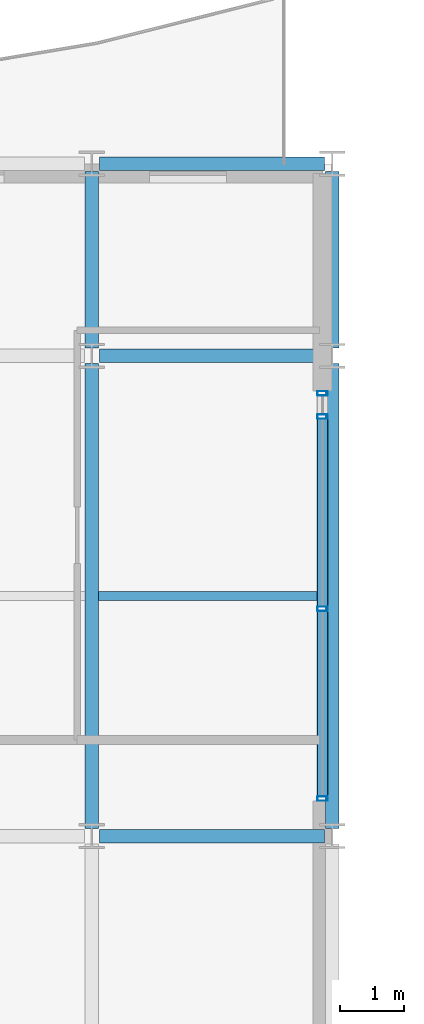
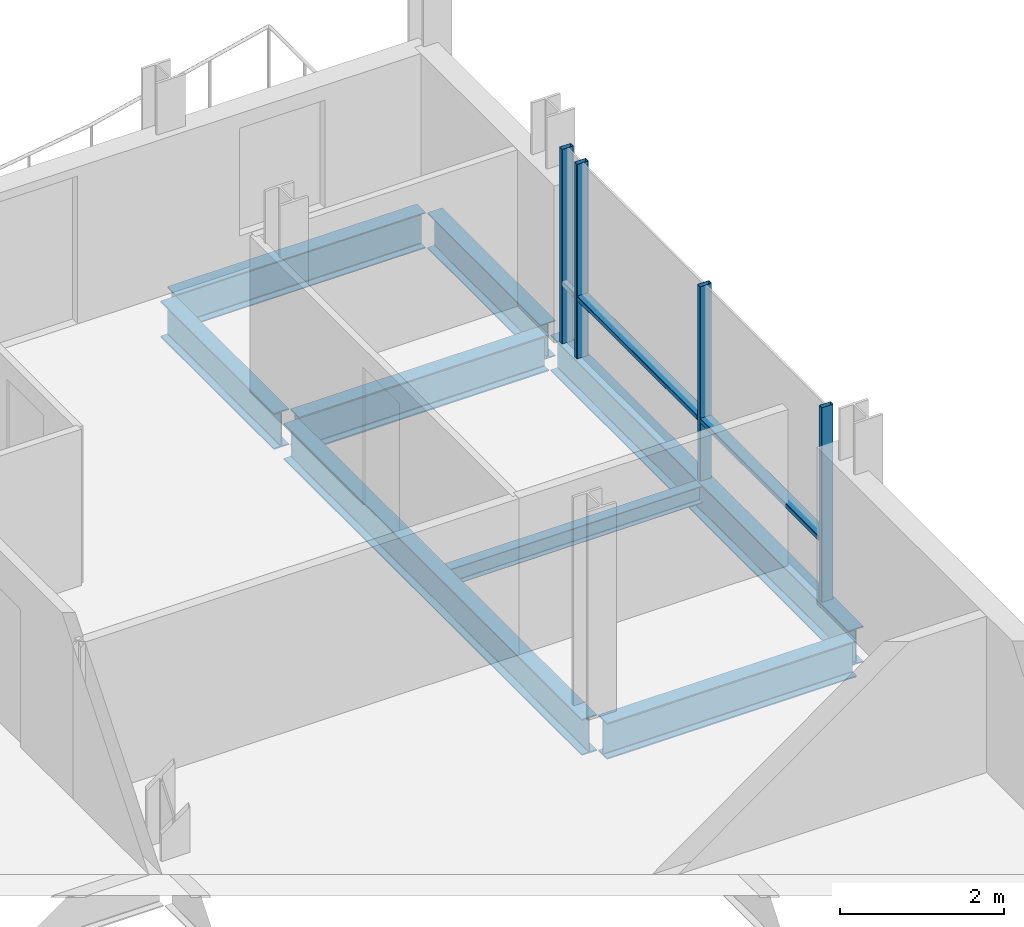
# One storey, part 8 of 29: 8 beams, 6 members, 1 element without a shape of its own.
"""IFC4 building model written with IfcOpenShell, lengths in metres."""

from ifc_helpers import new_model, si_unit, direction, frame, origin, origin_2d, place, context, subcontext, project, spatial, hollow_rectangle, i_section, extrude, material, layer, layer_set, material_profile, profile_set, type_object, element, aggregate, save


model = new_model("IFC4")

# Units and contexts
model_context = context("Model", 3, precision=1e-05, world=origin(), true_north=direction((0.0, 1.0)))
body_context = subcontext(model_context, "Body", "Model", "MODEL_VIEW")
ifc_project = project(units=[si_unit("LENGTHUNIT", "METRE"), si_unit("AREAUNIT", "SQUARE_METRE"), si_unit("VOLUMEUNIT", "CUBIC_METRE"), si_unit("PLANEANGLEUNIT", "RADIAN"), si_unit("MASSUNIT", "GRAM", prefix="KILO")], contexts=[model_context])

# Site, building, storey
site_placement = place(None, origin())
site = spatial("IfcSite", under=ifc_project, at=site_placement, CompositionType="ELEMENT")
building_placement = place(site_placement, origin())
building = spatial("IfcBuilding", under=site, at=building_placement, Name="Brevholm Reach", CompositionType="ELEMENT")
storey_placement = place(building_placement, frame((0.0, 0.0, 198.699951171875)))
storey = spatial("IfcBuildingStorey", under=building, at=storey_placement, Name="L60", CompositionType="ELEMENT", Elevation=198.699951171875)

# Beams
ifc_material_1 = material(Name="Structural Steel S355J2", Category="steel")
ifc_material_profile_1 = material_profile(ifc_material_1, i_section(OverallWidth=0.14599609375, OverallDepth=0.25146484375, WebThickness=0.006103515625, FlangeThickness=0.008544921875, FilletRadius=0.007568359375, at=origin_2d()), Name="UKB 254x146x31")
ifc_profile_set_1 = profile_set([ifc_material_profile_1], Name="Structural Steel S355J2")
beam_type_1 = type_object("IfcBeamType", Name="BM-B254", PredefinedType="BEAM", material=ifc_profile_set_1)
beam_1_placement = place(storey_placement, frame((18.10546875, 19.75, -0.335693359375), z_axis=(1.0, 0.0, 0.0), x_axis=(0.0, 1.0, 0.0)))
element("IfcBeam", 1, at=beam_1_placement, inside=storey, type_object=beam_type_1, Name="L60 Composite Secondary Floor Beam", PredefinedType="BEAM", context=body_context, shape_type="SweptSolid", body=[
    extrude(i_section(OverallWidth=0.14599609375, OverallDepth=0.25146484375, WebThickness=0.006103515625, FlangeThickness=0.008544921875, FilletRadius=0.007568359375, at=origin_2d()), origin(), (0.0, 0.0, 1.0), 3.539794921875),
])
ifc_material_2 = material(Name="Structural Steel S355J2", Category="steel")
ifc_material_profile_2 = material_profile(ifc_material_2, i_section(OverallWidth=0.209228515625, OverallDepth=0.533203125, WebThickness=0.010009765625, FlangeThickness=0.015625, FilletRadius=0.0126953125, at=origin_2d()), Name="UKB 533x210x92")
ifc_profile_set_2 = profile_set([ifc_material_profile_2], Name="Structural Steel S355J2")
beam_type_2 = type_object("IfcBeamType", Name="BM-SP533", PredefinedType="SPANDREL", material=ifc_profile_set_2)
beam_2_placement = place(storey_placement, frame((18.1201171875, 26.5, -0.4765625), z_axis=(1.0, 0.0, 0.0), x_axis=(0.0, 1.0, 0.0)))
element("IfcBeam", 2, at=beam_2_placement, inside=storey, type_object=beam_type_2, Name="L60 SP-02 Framing Beam", PredefinedType="SPANDREL", context=body_context, shape_type="SweptSolid", body=[
    extrude(i_section(OverallWidth=0.209228515625, OverallDepth=0.533203125, WebThickness=0.010009765625, FlangeThickness=0.015625, FilletRadius=0.0126953125, at=origin_2d()), origin(), (0.0, 0.0, 1.0), 3.509765625),
])
beam_3_placement = place(storey_placement, frame((21.75, 16.1201171875, -0.4765625), z_axis=(0.0, 1.0, 0.0), x_axis=(-1.0, 0.0, 0.0)))
element("IfcBeam", 3, at=beam_3_placement, inside=storey, type_object=beam_type_2, Name="L60 SP-02 Framing Beam", PredefinedType="SPANDREL", context=body_context, shape_type="SweptSolid", body=[
    extrude(i_section(OverallWidth=0.209228515625, OverallDepth=0.533203125, WebThickness=0.010009765625, FlangeThickness=0.015625, FilletRadius=0.0126953125, at=origin_2d()), origin(), (0.0, 0.0, 1.0), 7.259765625),
])
beam_4_placement = place(storey_placement, frame((21.75, 23.6201171875, -0.4765625), z_axis=(0.0, 1.0, 0.0), x_axis=(-1.0, 0.0, 0.0)))
element("IfcBeam", 4, at=beam_4_placement, inside=storey, type_object=beam_type_2, Name="L60 SP-02 Framing Beam", PredefinedType="SPANDREL", context=body_context, shape_type="SweptSolid", body=[
    extrude(i_section(OverallWidth=0.209228515625, OverallDepth=0.533203125, WebThickness=0.010009765625, FlangeThickness=0.015625, FilletRadius=0.0126953125, at=origin_2d()), origin(), (0.0, 0.0, 1.0), 2.759765625),
])
ifc_material_3 = material(Name="Structural Steel S355J2", Category="steel")
ifc_material_profile_3 = material_profile(ifc_material_3, i_section(OverallWidth=0.210693359375, OverallDepth=0.53955078125, WebThickness=0.01171875, FlangeThickness=0.018798828125, FilletRadius=0.0126953125, at=origin_2d()), Name="UKB 533x210x109")
ifc_profile_set_3 = profile_set([ifc_material_profile_3], Name="Structural Steel S355J2")
beam_type_3 = type_object("IfcBeamType", Name="BM-SP539", PredefinedType="SPANDREL", material=ifc_profile_set_3)
for number, where, z_axis, x_axis, name in (
    (5, (18.1201171875, 16.0, -0.479736328125), (1.0, 0.0, 0.0), (0.0, 1.0, 0.0), "L60 SP-01B Framing Beam"),
    (6, (18.1201171875, 23.5, -0.479736328125), (1.0, 0.0, 0.0), (0.0, 1.0, 0.0), "L60 SP-01B Framing Beam"),
):
    element("IfcBeam", number, at=place(storey_placement, frame(where, z_axis=z_axis, x_axis=x_axis)), inside=storey, type_object=beam_type_3, Name=name, PredefinedType="SPANDREL", context=body_context, shape_type="SweptSolid", body=[
        extrude(i_section(OverallWidth=0.210693359375, OverallDepth=0.53955078125, WebThickness=0.01171875, FlangeThickness=0.018798828125, FilletRadius=0.0126953125, at=origin_2d()), origin(), (0.0, 0.0, 1.0), 3.509765625),
    ])
beam_5_placement = place(storey_placement, frame((18.0, 16.1201171875, -0.479736328125), z_axis=(0.0, 1.0, 0.0), x_axis=(-1.0, 0.0, 0.0)))
element("IfcBeam", 7, at=beam_5_placement, inside=storey, type_object=beam_type_3, Name="L60 SP-01B Framing Beam", PredefinedType="SPANDREL", context=body_context, shape_type="SweptSolid", body=[
    extrude(i_section(OverallWidth=0.210693359375, OverallDepth=0.53955078125, WebThickness=0.01171875, FlangeThickness=0.018798828125, FilletRadius=0.0126953125, at=origin_2d()), origin(), (0.0, 0.0, 1.0), 7.259765625),
])
beam_6_placement = place(storey_placement, frame((18.0, 23.6201171875, -0.479736328125), z_axis=(0.0, 1.0, 0.0), x_axis=(-1.0, 0.0, 0.0)))
element("IfcBeam", 8, at=beam_6_placement, inside=storey, type_object=beam_type_3, Name="L60 SP-01B Framing Beam", PredefinedType="SPANDREL", context=body_context, shape_type="SweptSolid", body=[
    extrude(i_section(OverallWidth=0.210693359375, OverallDepth=0.53955078125, WebThickness=0.01171875, FlangeThickness=0.018798828125, FilletRadius=0.0126953125, at=origin_2d()), origin(), (0.0, 0.0, 1.0), 2.759765625),
])

# Curtain wall, members
ifc_material_4 = material(Name="Dark Anodised Aluminium 6063-T6 and Solar-Control Glass", Category="aluminium")
ifc_layer = layer(ifc_material_4, 0.1650390625)
ifc_layer_set = layer_set([ifc_layer], Name="Dark Anodised Aluminium 6063-T6 and Solar-Control Glass")
curtain_wall_type = type_object("IfcCurtainWallType", Name="CW-04", PredefinedType="NOTDEFINED", material=ifc_layer_set)
curtain_wall_placement = place(storey_placement, origin())
curtain_wall = element("IfcCurtainWall", 9, at=curtain_wall_placement, inside=storey, type_object=curtain_wall_type, Name="L60 Curtain Wall CW-04", PredefinedType="NOTDEFINED")
ifc_material_5 = material(Name="Dark Anodised Aluminium 6063-T6", Category="aluminium")
ifc_material_profile_4 = material_profile(ifc_material_5, hollow_rectangle(XDim=0.070068359375, YDim=0.1650390625, WallThickness=0.0048828125, InnerFilletRadius=0.0048828125, OuterFilletRadius=0.010009765625, at=origin_2d()), Name="RHS 165x70x5")
ifc_profile_set_4 = profile_set([ifc_material_profile_4], Name="Dark Anodised Aluminium 6063-T6")
member_type_1 = type_object("IfcMemberType", Name="CWM-165", PredefinedType="MULLION", material=ifc_profile_set_4)
member_1_placement = place(storey_placement, frame((21.60009765625, 16.5849609375, 0.0), z_axis=(0.0, 0.0, 1.0), x_axis=(0.0, 1.0, 0.0)))
member_1 = element("IfcMember", 10, at=member_1_placement, type_object=member_type_1, Name="CM-165 Mullion 1", PredefinedType="MULLION", context=body_context, shape_type="SweptSolid", body=[
    extrude(hollow_rectangle(XDim=0.070068359375, YDim=0.1650390625, WallThickness=0.0048828125, InnerFilletRadius=0.0048828125, OuterFilletRadius=0.010009765625, at=origin_2d()), origin(), (0.0, 0.0, 1.0), 2.89013671875),
])
member_2_placement = place(storey_placement, frame((21.60009765625, 19.550048828125, 0.0), z_axis=(0.0, 0.0, 1.0), x_axis=(0.0, 1.0, 0.0)))
member_2 = element("IfcMember", 11, at=member_2_placement, type_object=member_type_1, Name="CM-165 Mullion 2", PredefinedType="MULLION", context=body_context, shape_type="SweptSolid", body=[
    extrude(hollow_rectangle(XDim=0.070068359375, YDim=0.1650390625, WallThickness=0.0048828125, InnerFilletRadius=0.0048828125, OuterFilletRadius=0.010009765625, at=origin_2d()), origin(), (0.0, 0.0, 1.0), 2.89013671875),
])
member_3_placement = place(storey_placement, frame((21.60009765625, 22.550048828125, 0.0), z_axis=(0.0, 0.0, 1.0), x_axis=(0.0, 1.0, 0.0)))
member_3 = element("IfcMember", 12, at=member_3_placement, type_object=member_type_1, Name="CM-165 Mullion 3", PredefinedType="MULLION", context=body_context, shape_type="SweptSolid", body=[
    extrude(hollow_rectangle(XDim=0.070068359375, YDim=0.1650390625, WallThickness=0.0048828125, InnerFilletRadius=0.0048828125, OuterFilletRadius=0.010009765625, at=origin_2d()), origin(), (0.0, 0.0, 1.0), 2.89013671875),
])
member_4_placement = place(storey_placement, frame((21.60009765625, 22.9150390625, 0.0), z_axis=(0.0, 0.0, 1.0), x_axis=(0.0, 1.0, 0.0)))
member_4 = element("IfcMember", 13, at=member_4_placement, type_object=member_type_1, Name="CM-165 Mullion 4", PredefinedType="MULLION", context=body_context, shape_type="SweptSolid", body=[
    extrude(hollow_rectangle(XDim=0.070068359375, YDim=0.1650390625, WallThickness=0.0048828125, InnerFilletRadius=0.0048828125, OuterFilletRadius=0.010009765625, at=origin_2d()), origin(), (0.0, 0.0, 1.0), 2.89013671875),
])
ifc_material_6 = material(Name="Dark Anodised Aluminium 6063-T6", Category="aluminium")
ifc_material_profile_5 = material_profile(ifc_material_6, hollow_rectangle(XDim=0.070068359375, YDim=0.1650390625, WallThickness=0.0048828125, InnerFilletRadius=0.0048828125, OuterFilletRadius=0.010009765625, at=origin_2d()), Name="RHS 165x70x5")
ifc_profile_set_5 = profile_set([ifc_material_profile_5], Name="Dark Anodised Aluminium 6063-T6")
member_type_2 = type_object("IfcMemberType", Name="CWT-165", PredefinedType="NOTDEFINED", material=ifc_profile_set_5)
member_5_placement = place(storey_placement, frame((21.60009765625, 16.6201171875, 0.900146484375), z_axis=(0.0, 1.0, 0.0), x_axis=(0.0, 0.0, 1.0)))
member_5 = element("IfcMember", 14, at=member_5_placement, type_object=member_type_2, Name="CT-165 Transom 1.1", ObjectType="TRANSOM", PredefinedType="USERDEFINED", context=body_context, shape_type="SweptSolid", body=[
    extrude(hollow_rectangle(XDim=0.070068359375, YDim=0.1650390625, WallThickness=0.0048828125, InnerFilletRadius=0.0048828125, OuterFilletRadius=0.010009765625, at=origin_2d()), origin(), (0.0, 0.0, 1.0), 2.894775390625),
])
member_6_placement = place(storey_placement, frame((21.60009765625, 19.5849609375, 0.900146484375), z_axis=(0.0, 1.0, 0.0), x_axis=(0.0, 0.0, 1.0)))
member_6 = element("IfcMember", 15, at=member_6_placement, type_object=member_type_2, Name="CT-165 Transom 2.1", ObjectType="TRANSOM", PredefinedType="USERDEFINED", context=body_context, shape_type="SweptSolid", body=[
    extrude(hollow_rectangle(XDim=0.070068359375, YDim=0.1650390625, WallThickness=0.0048828125, InnerFilletRadius=0.0048828125, OuterFilletRadius=0.010009765625, at=origin_2d()), origin(), (0.0, 0.0, 1.0), 2.929931640625),
])
aggregate(curtain_wall, [member_1, member_2, member_3, member_4, member_5, member_6])

save(model, "model.ifc")
